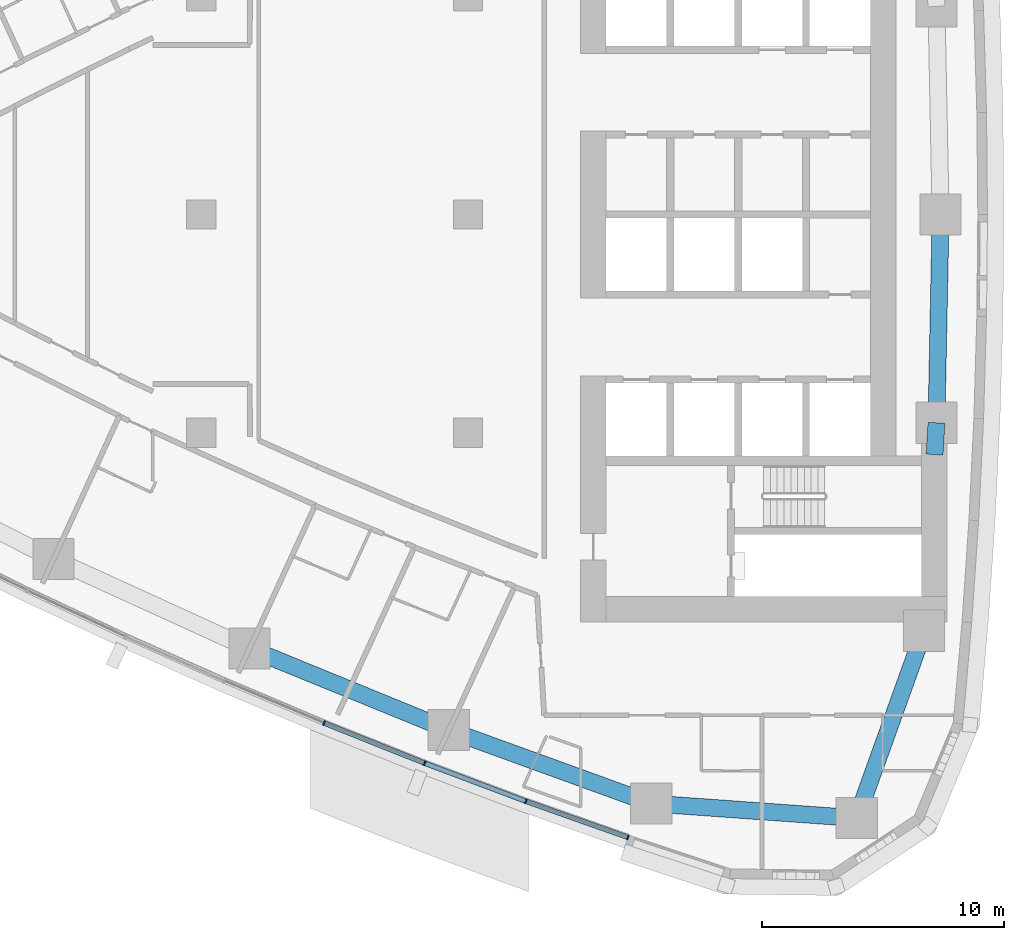
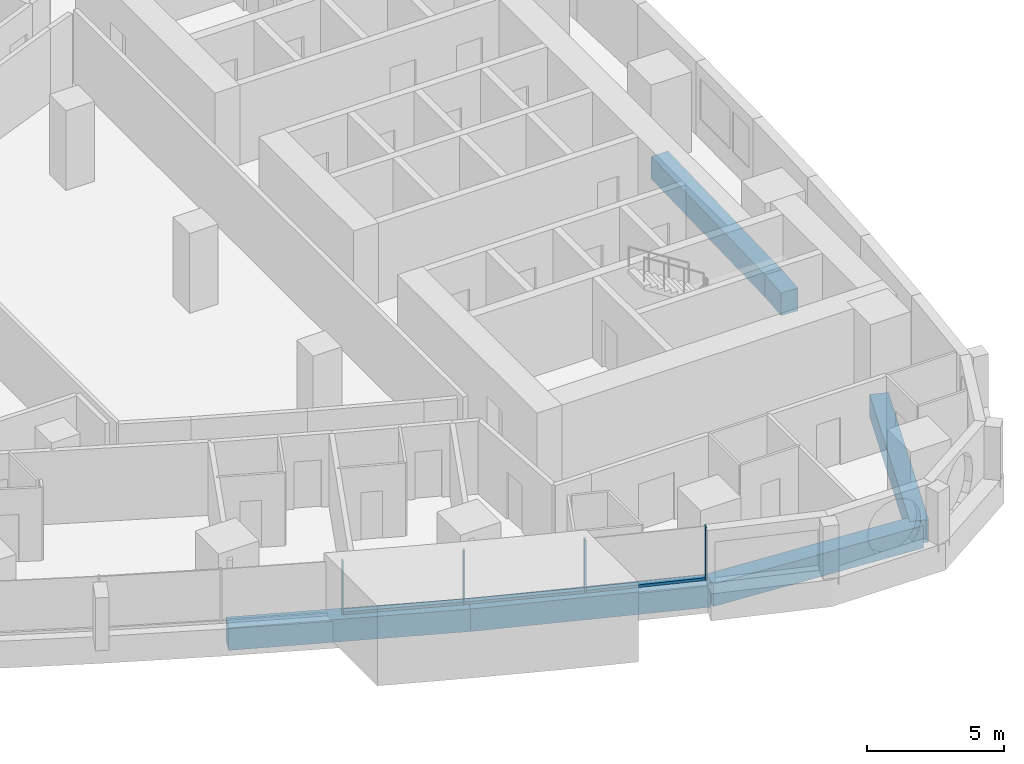
# One storey, part 4 of 17: 7 members, 6 beams, 2 elements without a shape of their own.
"""IFC4 building model written with IfcOpenShell, lengths in metres."""

import ifcopenshell
import ifcopenshell.guid

model = None  # the IFC model being written
_history = None  # IfcOwnerHistory: only IFC2X3 demands one
_inside = {}  # id of a spatial element -> (the spatial element, [elements in it])
_under = {}  # id of a project, library or spatial element -> (it, [spatial elements below it])
_declared = {}  # id of a project -> (the project, [libraries it declares])
_typed = {}  # id of a type object -> (the type object, [elements of that type])
_made_of = {}  # id of a material, layer set ... -> (it, [elements and type objects made of it])


def new_model(schema):
    """Start an empty IFC model of exactly this schema.

    Asked for "IFC4X3", IfcOpenShell would pick the latest addendum, in which some entities
    have other attributes; the version numbers below select the first issue.
    IFC2X3 requires an IfcOwnerHistory on every rooted entity: one is made here for all.
    """
    global model, _history
    if schema == "IFC4X3":
        model = ifcopenshell.file(schema_version=(4, 3, 0, 0))
    else:
        model = ifcopenshell.file(schema=schema)
    _inside.clear()
    _under.clear()
    _declared.clear()
    _typed.clear()
    _made_of.clear()
    _history = None
    if model.schema == "IFC2X3":
        org = make("IfcOrganization", Name="unknown")
        user = make(
            "IfcPersonAndOrganization",
            ThePerson=make("IfcPerson", FamilyName="unknown"),
            TheOrganization=org,
        )
        app = make(
            "IfcApplication",
            ApplicationDeveloper=org,
            Version="unknown",
            ApplicationFullName="unknown",
            ApplicationIdentifier="unknown",
        )
        _history = make(
            "IfcOwnerHistory",
            OwningUser=user,
            OwningApplication=app,
            ChangeAction="ADDED",
            CreationDate=0,
        )
    return model


def make(cls, **values):
    """One entity of the class cls with the attributes given. An attribute that is None is left unset."""
    return model.create_entity(
        cls, **{name: value for name, value in values.items() if value is not None}
    )


def rooted(cls, **values):
    """An entity with a GlobalId (a new one), such as an element, a storey or a relation."""
    return make(cls, GlobalId=ifcopenshell.guid.new(), OwnerHistory=_history, **values)


def si_unit(unit_type, name, prefix=None):
    """IfcSIUnit, for example si_unit("LENGTHUNIT", "METRE", prefix="MILLI")."""
    return make("IfcSIUnit", UnitType=unit_type, Prefix=prefix, Name=name)


def assignment(units):
    """IfcUnitAssignment: the units of a project."""
    return None if units is None else make("IfcUnitAssignment", Units=units)


def point(xyz):
    """IfcCartesianPoint."""
    return None if xyz is None else make("IfcCartesianPoint", Coordinates=xyz)


def direction(xyz):
    """IfcDirection."""
    return None if xyz is None else make("IfcDirection", DirectionRatios=xyz)


def frame(location, z_axis=None, x_axis=None):
    """IfcAxis2Placement3D, a coordinate frame: its origin and axes. An axis left out is left unset."""
    return make(
        "IfcAxis2Placement3D",
        Location=point(location),
        Axis=direction(z_axis),
        RefDirection=direction(x_axis),
    )


def frame_2d(location, x_axis=None):
    """IfcAxis2Placement2D, a coordinate frame in the plane: its origin and x axis."""
    return make(
        "IfcAxis2Placement2D", Location=point(location), RefDirection=direction(x_axis)
    )


def origin():
    """The frame at (0, 0, 0) with its axes left unset."""
    return frame((0.0, 0.0, 0.0))


def origin_2d():
    """The frame at (0, 0) in the plane with its x axis left unset."""
    return frame_2d((0.0, 0.0))


def place(relative_to, where):
    """IfcLocalPlacement: puts the frame where relative to a parent placement (None: the world)."""
    return make(
        "IfcLocalPlacement", PlacementRelTo=relative_to, RelativePlacement=where
    )


def context(
    kind, dimensions, precision=None, world=None, true_north=None, identifier=None
):
    """IfcGeometricRepresentationContext, for example the 3D "Model" context."""
    return make(
        "IfcGeometricRepresentationContext",
        ContextIdentifier=identifier,
        ContextType=kind,
        CoordinateSpaceDimension=dimensions,
        Precision=precision,
        WorldCoordinateSystem=world,
        TrueNorth=true_north,
    )


def subcontext(parent, identifier, kind, view, scale=None):
    """IfcGeometricRepresentationSubContext, for example "Body" below "Model"."""
    return make(
        "IfcGeometricRepresentationSubContext",
        ContextIdentifier=identifier,
        ContextType=kind,
        ParentContext=parent,
        TargetScale=scale,
        TargetView=view,
    )


def project(units=None, contexts=None):
    """IfcProject with its units and contexts."""
    return rooted(
        "IfcProject",
        Name="project",
        RepresentationContexts=contexts,
        UnitsInContext=assignment(units),
    )


def spatial(cls, under=None, at=None, **own):
    """A site, building, storey or space (cls), placed at a placement, below another one or the project."""
    s = rooted(cls, ObjectPlacement=at, **own)
    if under is not None:
        _under.setdefault(under.id(), (under, []))[1].append(s)
    return s


def profile(cls, at=None, kind="AREA", **sizes):
    """A parametric profile (cls). Its sizes go by their IFC names, for example OverallWidth=200.0."""
    return make(cls, ProfileType=kind, Position=at, **sizes)


def rectangle(**sizes):
    """IfcRectangleProfileDef."""
    return profile("IfcRectangleProfileDef", **sizes)


def extrude(swept, where, along, depth):
    """IfcExtrudedAreaSolid: the profile swept, set in the frame where, extruded along a direction by depth."""
    return make(
        "IfcExtrudedAreaSolid",
        SweptArea=swept,
        Position=where,
        ExtrudedDirection=direction(along),
        Depth=depth,
    )


def shape(context_of_items, identifier, shape_type, items):
    """IfcShapeRepresentation: the items that make up one representation, for example the "Body"."""
    return make(
        "IfcShapeRepresentation",
        ContextOfItems=context_of_items,
        RepresentationIdentifier=identifier,
        RepresentationType=shape_type,
        Items=items,
    )


def material(Name=None, Category=None):
    """IfcMaterial."""
    return make("IfcMaterial", Name=Name, Category=Category)


def layer(
    of_material, thickness, ventilated=None, Name=None, Category=None, Priority=None
):
    """IfcMaterialLayer: one layer of a wall or slab, of a material (None: an air gap)."""
    return make(
        "IfcMaterialLayer",
        Material=of_material,
        LayerThickness=thickness,
        IsVentilated=ventilated,
        Name=Name,
        Category=Category,
        Priority=Priority,
    )


def layer_set(layers, Name=None):
    """IfcMaterialLayerSet."""
    return make("IfcMaterialLayerSet", MaterialLayers=layers, LayerSetName=Name)


def material_profile(
    of_material, cross_section, Name=None, Category=None, Priority=None
):
    """IfcMaterialProfile: a cross section and its material."""
    return make(
        "IfcMaterialProfile",
        Name=Name,
        Material=of_material,
        Profile=cross_section,
        Priority=Priority,
        Category=Category,
    )


def profile_set(profiles, Name=None, composite=None):
    """IfcMaterialProfileSet."""
    return make(
        "IfcMaterialProfileSet",
        Name=Name,
        MaterialProfiles=profiles,
        CompositeProfile=composite,
    )


def made_of(thing, what):
    """Note that an element or type object is made of a material, layer set ...; save() writes the relation."""
    if what is not None:
        _made_of.setdefault(what.id(), (what, []))[1].append(thing)
    return thing


def type_object(cls, material=None, **own):
    """A type object (cls), such as IfcWallType, which elements share."""
    return made_of(rooted(cls, **own), material)


def element(
    cls,
    number,
    at=None,
    inside=None,
    cuts=None,
    type_object=None,
    material=None,
    context=None,
    identifier="Body",
    shape_type=None,
    held_by="IfcProductDefinitionShape",
    body=None,
    shapes=None,
    **own,
):
    """One element of the class cls, such as IfcWall. Its Tag is "e" and its number.

    at: its placement. inside: the storey or other place that contains it. cuts: it is an
    opening in that element (IfcRelVoidsElement). A single representation is given by context,
    identifier, shape_type and body (its items); several are given by shapes. held_by: the class
    of the entity that holds the representations. save() writes the other relations.
    """
    e = rooted(cls, Tag="e%d" % number, ObjectPlacement=at, **own)
    if body is not None:
        shapes = [shape(context, identifier, shape_type, body)]
    if shapes is not None:
        e.Representation = make(held_by, Representations=shapes)
    if inside is not None:
        _inside.setdefault(inside.id(), (inside, []))[1].append(e)
    if cuts is not None:
        rooted(
            "IfcRelVoidsElement", RelatingBuildingElement=cuts, RelatedOpeningElement=e
        )
    if type_object is not None:
        _typed.setdefault(type_object.id(), (type_object, []))[1].append(e)
    return made_of(e, material)


def aggregate(whole, parts):
    """IfcRelAggregates: a whole, such as a stair, and the parts it consists of."""
    return rooted("IfcRelAggregates", RelatingObject=whole, RelatedObjects=parts)


def save(model, path):
    """Write the relations noted so far, then the file.

    IfcRelAggregates (storeys below a building ...), IfcRelContainedInSpatialStructure (elements
    in a storey), IfcRelDefinesByType, IfcRelAssociatesMaterial and IfcRelDeclares: one each for
    every whole, place, type object, material and project.
    """
    for whole, parts in _under.values():
        aggregate(whole, parts)
    for where, things in _inside.values():
        rooted(
            "IfcRelContainedInSpatialStructure",
            RelatedElements=things,
            RelatingStructure=where,
        )
    for kind, things in _typed.values():
        rooted("IfcRelDefinesByType", RelatedObjects=things, RelatingType=kind)
    for what, things in _made_of.values():
        rooted("IfcRelAssociatesMaterial", RelatedObjects=things, RelatingMaterial=what)
    for by, libraries in _declared.values():
        rooted("IfcRelDeclares", RelatingContext=by, RelatedDefinitions=libraries)
    model.write(path)


model = new_model("IFC4")

# Units and contexts
model_context = context("Model", 3, precision=1e-05, world=origin(), true_north=direction((0.0, 1.0)))
body_context = subcontext(model_context, "Body", "Model", "MODEL_VIEW")
ifc_project = project(units=[si_unit("LENGTHUNIT", "METRE"), si_unit("AREAUNIT", "SQUARE_METRE"), si_unit("VOLUMEUNIT", "CUBIC_METRE"), si_unit("PLANEANGLEUNIT", "RADIAN"), si_unit("MASSUNIT", "GRAM", prefix="KILO")], contexts=[model_context])

# Site, building, storey
site_placement = place(None, origin())
site = spatial("IfcSite", under=ifc_project, at=site_placement, CompositionType="ELEMENT")
building_placement = place(site_placement, origin())
building = spatial("IfcBuilding", under=site, at=building_placement, Name="Ostrand Prow Hotel Tower", CompositionType="ELEMENT")
storey_placement = place(building_placement, frame((0.0, 0.0, 113.300048828125)))
storey = spatial("IfcBuildingStorey", under=building, at=storey_placement, Name="L27", CompositionType="ELEMENT", Elevation=113.300048828125)

# Beams
ifc_material_1 = material(Name="Concrete C80/95", Category="concrete")
ifc_material_profile_1 = material_profile(ifc_material_1, rectangle(XDim=0.699951171875, YDim=1.0, at=origin_2d()), Name="RC 700x1000")
ifc_profile_set_1 = profile_set([ifc_material_profile_1], Name="Concrete C80/95")
beam_type = type_object("IfcBeamType", Name="Edge beam 700x1000 C80/95", PredefinedType="SPANDREL", material=ifc_profile_set_1)
beam_1_placement = place(storey_placement, frame((35.98828125, -17.901611328125, -0.800048828125), z_axis=(0.925612172894, -0.378473387955, 0.0), x_axis=(0.378473387955, 0.925612172894, 0.0)))
element("IfcBeam", 1, at=beam_1_placement, inside=storey, type_object=beam_type, Name="Edge beam S4-S5", PredefinedType="SPANDREL", context=body_context, shape_type="SweptSolid", body=[
    extrude(rectangle(XDim=0.699951171875, YDim=1.0, at=origin_2d()), origin(), (0.0, 0.0, 1.0), 8.88330078125),
])
beam_2_placement = place(storey_placement, frame((44.210693359375, -21.263671875, -0.800048828125), z_axis=(0.940062739321, -0.341001533927, 0.0), x_axis=(0.341001533927, 0.940062739321, 0.0)))
element("IfcBeam", 2, at=beam_2_placement, inside=storey, type_object=beam_type, Name="Edge beam S5-S6", PredefinedType="SPANDREL", context=body_context, shape_type="SweptSolid", body=[
    extrude(rectangle(XDim=0.699951171875, YDim=1.0, at=origin_2d()), origin(), (0.0, 0.0, 1.0), 8.883544921875),
])
beam_3_placement = place(storey_placement, frame((52.561767578125, -24.29296875, -0.800048828125), z_axis=(0.99747195063, -0.071061295414, 0.0), x_axis=(0.071061295414, 0.99747195063, 0.0)))
element("IfcBeam", 3, at=beam_3_placement, inside=storey, type_object=beam_type, Name="Edge beam S6-SE", PredefinedType="SPANDREL", context=body_context, shape_type="SweptSolid", body=[
    extrude(rectangle(XDim=0.699951171875, YDim=1.0, at=origin_2d()), origin(), (0.0, 0.0, 1.0), 8.499755859375),
])
beam_4_placement = place(storey_placement, frame((61.0400390625, -24.89697265625, -0.800048828125), z_axis=(0.337815484063, 0.941212355809, 0.0), x_axis=(-0.941212355809, 0.337815484063, 0.0)))
element("IfcBeam", 4, at=beam_4_placement, inside=storey, type_object=beam_type, Name="Edge beam SE-B1", PredefinedType="SPANDREL", context=body_context, shape_type="SweptSolid", body=[
    extrude(rectangle(XDim=0.699951171875, YDim=1.0, at=origin_2d()), origin(), (0.0, 0.0, 1.0), 8.21630859375),
])
beam_5_placement = place(storey_placement, frame((64.25048828125, -9.89990234375, -0.800048828125), z_axis=(0.059658953766, 0.998218818314, 0.0), x_axis=(-0.998218818314, 0.059658953766, 0.0)))
element("IfcBeam", 5, at=beam_5_placement, inside=storey, type_object=beam_type, Name="Edge beam B1-B2", PredefinedType="SPANDREL", context=body_context, shape_type="SweptSolid", body=[
    extrude(rectangle(XDim=0.699951171875, YDim=1.0, at=origin_2d()), origin(), (0.0, 0.0, 1.0), 1.313720703125),
])
beam_6_placement = place(storey_placement, frame((64.328857421875, -8.588623046875, -0.800048828125), z_axis=(0.019922705812, 0.9998015232, 0.0), x_axis=(-0.9998015232, 0.019922705812, 0.0)))
element("IfcBeam", 6, at=beam_6_placement, inside=storey, type_object=beam_type, Name="Edge beam B2-B3", PredefinedType="SPANDREL", context=body_context, shape_type="SweptSolid", body=[
    extrude(rectangle(XDim=0.699951171875, YDim=1.0, at=origin_2d()), origin(), (0.0, 0.0, 1.0), 8.59033203125),
])

# Curtain wall, members
ifc_material_2 = material(Name="Insulated glass in bronze anodised frame", Category="glass")
ifc_layer = layer(ifc_material_2, 0.199951171875)
ifc_layer_set = layer_set([ifc_layer], Name="Insulated glass in bronze anodised frame")
curtain_wall_type = type_object("IfcCurtainWallType", Name="Strip curtain wall, fritted glass over bronze spandrel", PredefinedType="NOTDEFINED", material=ifc_layer_set)
curtain_wall_1_placement = place(storey_placement, origin())
curtain_wall_1 = element("IfcCurtainWall", 7, at=curtain_wall_1_placement, inside=storey, type_object=curtain_wall_type, Name="CW1 run CWS4", PredefinedType="NOTDEFINED")
ifc_material_3 = material(Name="Bronze anodised aluminium", Category="aluminium")
ifc_material_profile_2 = material_profile(ifc_material_3, rectangle(XDim=0.199951171875, YDim=0.06005859375, at=origin_2d()), Name="Mullion 60x200 bronze anodised aluminium")
ifc_profile_set_2 = profile_set([ifc_material_profile_2], Name="Bronze anodised aluminium")
member_type_1 = type_object("IfcMemberType", Name="Mullion 60x200 bronze anodised aluminium", PredefinedType="MULLION", material=ifc_profile_set_2)
member_1_placement = place(storey_placement, frame((39.06396484375, -20.97265625, 0.89990234375), z_axis=(0.0, 0.0, 1.0), x_axis=(0.370982121315, 0.928640008649, 0.0)))
member_1 = element("IfcMember", 8, at=member_1_placement, type_object=member_type_1, Name="CW1 mullion 2", PredefinedType="MULLION", context=body_context, shape_type="SweptSolid", body=[
    extrude(rectangle(XDim=0.199951171875, YDim=0.06005859375, at=origin_2d()), origin(), (0.0, 0.0, 1.0), 2.35009765625),
])
member_2_placement = place(storey_placement, frame((43.211181640625, -22.62939453125, 0.89990234375), z_axis=(0.0, 0.0, 1.0), x_axis=(0.370982121315, 0.928640008649, 0.0)))
member_2 = element("IfcMember", 9, at=member_2_placement, type_object=member_type_1, Name="CW1 mullion 3", PredefinedType="MULLION", context=body_context, shape_type="SweptSolid", body=[
    extrude(rectangle(XDim=0.199951171875, YDim=0.06005859375, at=origin_2d()), origin(), (0.0, 0.0, 1.0), 2.35009765625),
])

curtain_wall_2_placement = place(storey_placement, origin())
curtain_wall_2 = element("IfcCurtainWall", 10, at=curtain_wall_2_placement, inside=storey, type_object=curtain_wall_type, Name="CW1 run CWS5", PredefinedType="NOTDEFINED")
member_3_placement = place(storey_placement, frame((47.390869140625, -24.202880859375, 0.89990234375), z_axis=(0.0, 0.0, 1.0), x_axis=(0.333495894542, 0.942751551748, 0.0)))
member_3 = element("IfcMember", 11, at=member_3_placement, type_object=member_type_1, Name="CW1 mullion 2", PredefinedType="MULLION", context=body_context, shape_type="SweptSolid", body=[
    extrude(rectangle(XDim=0.199951171875, YDim=0.06005859375, at=origin_2d()), origin(), (0.0, 0.0, 1.0), 2.35009765625),
])
member_4_placement = place(storey_placement, frame((51.601318359375, -25.692138671875, 0.89990234375), z_axis=(0.0, 0.0, 1.0), x_axis=(0.333495894542, 0.942751551748, 0.0)))
member_4 = element("IfcMember", 12, at=member_4_placement, type_object=member_type_1, Name="CW1 mullion 3", PredefinedType="MULLION", context=body_context, shape_type="SweptSolid", body=[
    extrude(rectangle(XDim=0.199951171875, YDim=0.06005859375, at=origin_2d()), origin(), (0.0, 0.0, 1.0), 2.35009765625),
])

# Member
ifc_material_4 = material(Name="Bronze anodised aluminium", Category="aluminium")
ifc_material_profile_3 = material_profile(ifc_material_4, rectangle(XDim=0.199951171875, YDim=0.1201171875, at=origin_2d()), Name="Transom 120x200 bronze anodised aluminium")
ifc_profile_set_3 = profile_set([ifc_material_profile_3], Name="Bronze anodised aluminium")
member_type_2 = type_object("IfcMemberType", Name="Transom 120x200 bronze anodised aluminium", PredefinedType="USERDEFINED", material=ifc_profile_set_3)
member_5_placement = place(storey_placement, frame((39.091796875, -20.983642578125, 0.9599609375), z_axis=(0.928621833209, -0.371027614724, 0.0), x_axis=(0.371027614724, 0.928621833209, 0.0)))
member_5 = element("IfcMember", 13, at=member_5_placement, type_object=member_type_2, Name="CW1 transom 2.1", ObjectType="TRANSOM", PredefinedType="USERDEFINED", context=body_context, shape_type="SweptSolid", body=[
    extrude(rectangle(XDim=0.199951171875, YDim=0.1201171875, at=origin_2d()), origin(), (0.0, 0.0, 1.0), 4.406005859375),
])

aggregate(curtain_wall_1, [member_1, member_2, member_5])

member_6_placement = place(storey_placement, frame((43.2392578125, -22.639892578125, 0.9599609375), z_axis=(0.935868398429, -0.352349742191, 0.0), x_axis=(0.352349742191, 0.935868398429, 0.0)))
member_6 = element("IfcMember", 14, at=member_6_placement, type_object=member_type_2, Name="CW1 transom 1.1", ObjectType="TRANSOM", PredefinedType="USERDEFINED", context=body_context, shape_type="SweptSolid", body=[
    extrude(rectangle(XDim=0.199951171875, YDim=0.1201171875, at=origin_2d()), origin(), (0.0, 0.0, 1.0), 4.406005859375),
])

member_7_placement = place(storey_placement, frame((47.419189453125, -24.212890625, 0.9599609375), z_axis=(0.942763014139, -0.333463490013, 0.0), x_axis=(0.333463490013, 0.942763014139, 0.0)))
member_7 = element("IfcMember", 15, at=member_7_placement, type_object=member_type_2, Name="CW1 transom 2.1", ObjectType="TRANSOM", PredefinedType="USERDEFINED", context=body_context, shape_type="SweptSolid", body=[
    extrude(rectangle(XDim=0.199951171875, YDim=0.1201171875, at=origin_2d()), origin(), (0.0, 0.0, 1.0), 4.406005859375),
])

aggregate(curtain_wall_2, [member_3, member_4, member_6, member_7])

save(model, "model.ifc")
